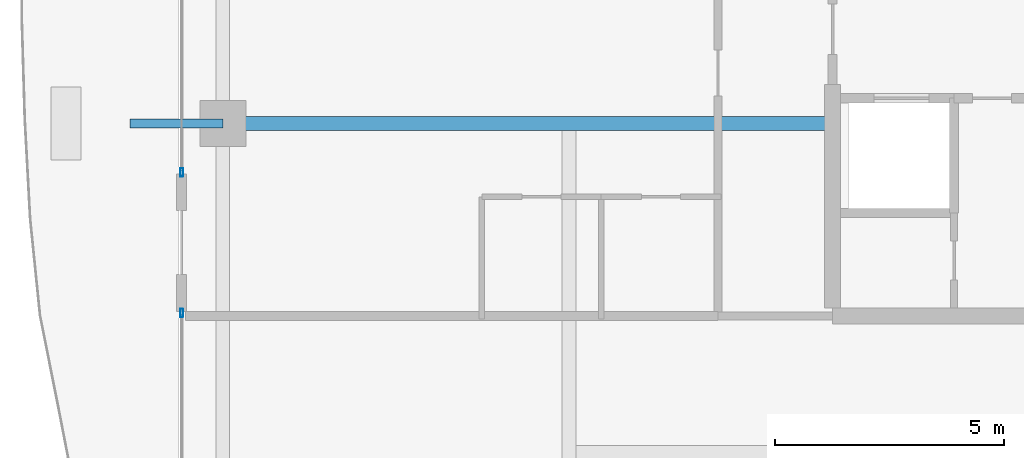
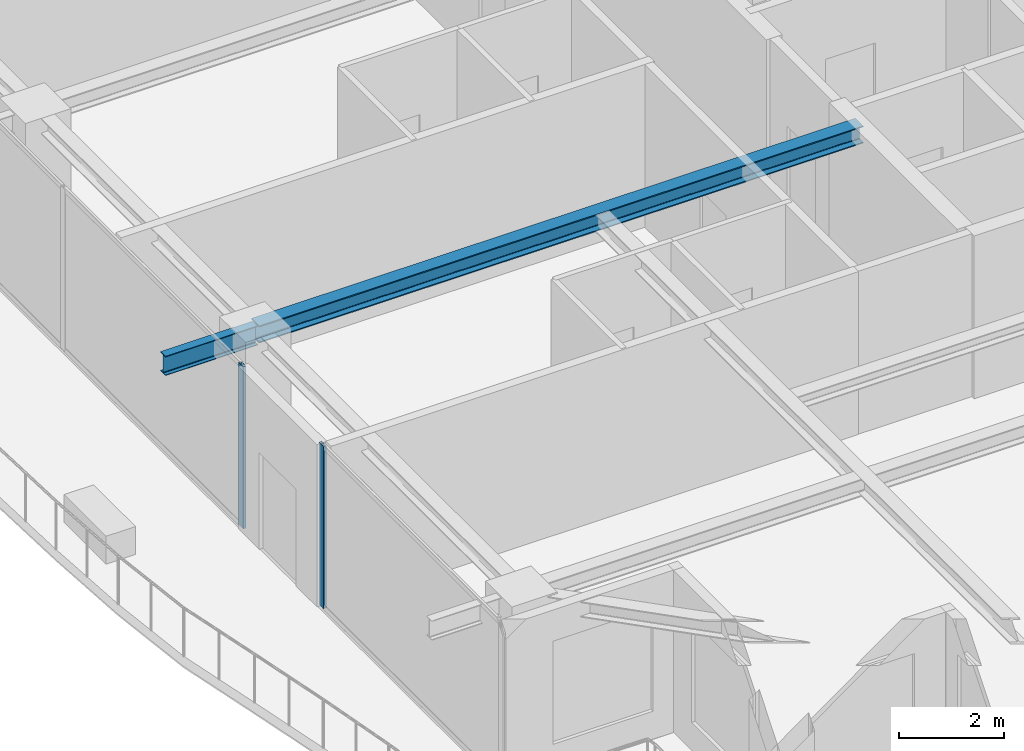
# One storey, part 7 of 37: 2 beams, 2 members, 2 elements without a shape of their own.
"""IFC4 building model written with IfcOpenShell, lengths in metres."""

from ifc_helpers import new_model, si_unit, direction, frame, origin, origin_2d, place, context, subcontext, project, spatial, hollow_rectangle, i_section, extrude, source, transform, mapped, material, layer, layer_set, material_profile, profile_set, type_object, element, aggregate, save


model = new_model("IFC4")

# Units and contexts
model_context = context("Model", 3, precision=1e-05, world=origin(), true_north=direction((0.0, 1.0)))
body_context = subcontext(model_context, "Body", "Model", "MODEL_VIEW")
ifc_project = project(units=[si_unit("LENGTHUNIT", "METRE"), si_unit("AREAUNIT", "SQUARE_METRE"), si_unit("VOLUMEUNIT", "CUBIC_METRE"), si_unit("PLANEANGLEUNIT", "RADIAN"), si_unit("MASSUNIT", "GRAM", prefix="KILO")], contexts=[model_context])

# Site, building, storey
site_placement = place(None, origin())
site = spatial("IfcSite", under=ifc_project, at=site_placement, CompositionType="ELEMENT")
building_placement = place(site_placement, origin())
building = spatial("IfcBuilding", under=site, at=building_placement, Name="Serunith Strait Residences", CompositionType="ELEMENT")
storey_placement = place(building_placement, frame((0.0, 0.0, 305.60009765625)))
storey = spatial("IfcBuildingStorey", under=building, at=storey_placement, Name="L76", CompositionType="ELEMENT", Elevation=305.60009765625)

# Beams
ifc_material_1 = material(Name="Steel S355J2", Category="steel")
ifc_material_profile_1 = material_profile(ifc_material_1, i_section(OverallWidth=0.300048828125, OverallDepth=0.39990234375, WebThickness=0.013427734375, FlangeThickness=0.02392578125, FilletRadius=0.027099609375, at=origin_2d()), Name="HEB 400")
ifc_profile_set_1 = profile_set([ifc_material_profile_1], Name="Steel S355J2")
beam_type_1 = type_object("IfcBeamType", Name="BM-HEB400", PredefinedType="BEAM", material=ifc_profile_set_1)
shared_shape_1 = source(origin(), body_context, "Body", "SweptSolid", [
    extrude(i_section(OverallWidth=0.300048828125, OverallDepth=0.39990234375, WebThickness=0.013427734375, FlangeThickness=0.02392578125, FilletRadius=0.027099609375, at=origin_2d()), origin(), (0.0, 0.0, 1.0), 13.2998046875),
])
beam_1_placement = place(storey_placement, frame((23.39990234375, 21.0, 3.5869140625), z_axis=(-1.0, 0.0, 0.0), x_axis=(0.0, -1.0, 0.0)))
element("IfcBeam", 1, at=beam_1_placement, inside=storey, type_object=beam_type_1, Name="L76 Primary Floor Girder TC-W2", PredefinedType="BEAM", context=body_context, shape_type="MappedRepresentation", body=[
    mapped(shared_shape_1, transform((0.0, 0.0, 0.0), scale=1.0)),
])
ifc_material_profile_2 = material_profile(ifc_material_1, i_section(OverallWidth=0.18994140625, OverallDepth=0.449951171875, WebThickness=0.009521484375, FlangeThickness=0.0146484375, FilletRadius=0.02099609375, at=origin_2d()), Name="IPE 450")
ifc_profile_set_2 = profile_set([ifc_material_profile_2], Name="Steel S355J2")
beam_type_2 = type_object("IfcBeamType", Name="BM-IPE450", PredefinedType="JOIST", material=ifc_profile_set_2)
shared_shape_2 = source(origin(), body_context, "Body", "SweptSolid", [
    extrude(i_section(OverallWidth=0.18994140625, OverallDepth=0.449951171875, WebThickness=0.009521484375, FlangeThickness=0.0146484375, FilletRadius=0.02099609375, at=origin_2d()), origin(), (0.0, 0.0, 1.0), 2.030029296875),
])
beam_2_placement = place(storey_placement, frame((10.10009765625, 21.0, 3.531982421875), z_axis=(-1.0, 0.0, 0.0), x_axis=(0.0, -1.0, 0.0)))
element("IfcBeam", 2, at=beam_2_placement, inside=storey, type_object=beam_type_2, Name="L77 Cantilevered Balcony Rib TC-W2", PredefinedType="JOIST", context=body_context, shape_type="MappedRepresentation", body=[
    mapped(shared_shape_2, transform((0.0, 0.0, 0.0), scale=1.0)),
])

# Curtain wall, member
ifc_material_2 = material(Name="Brushed Stainless-Silver Aluminium", Category="aluminium")
ifc_layer = layer(ifc_material_2, 0.199951171875, Name="Brushed Stainless-Silver Aluminium")
ifc_layer_set = layer_set([ifc_layer], Name="Brushed Stainless-Silver Aluminium")
curtain_wall_type = type_object("IfcCurtainWallType", Name="CW-SYS5", PredefinedType="NOTDEFINED", material=ifc_layer_set)
curtain_wall_1_placement = place(storey_placement, origin())
curtain_wall_1 = element("IfcCurtainWall", 3, at=curtain_wall_1_placement, inside=storey, type_object=curtain_wall_type, Name="L76 W Unitised Fritted Curtain Wall", PredefinedType="NOTDEFINED")
ifc_material_profile_3 = material_profile(ifc_material_2, hollow_rectangle(XDim=0.06494140625, YDim=0.179931640625, WallThickness=0.00341796875, InnerFilletRadius=0.00537109375, OuterFilletRadius=0.0087890625, at=origin_2d()), Name="ALU 180x65x3.5")
ifc_profile_set_3 = profile_set([ifc_material_profile_3], Name="Brushed Stainless-Silver Aluminium")
member_type = type_object("IfcMemberType", Name="CW-SYS5-MULL", PredefinedType="MULLION", material=ifc_profile_set_3)
shared_shape_3 = source(origin(), body_context, "Body", "SweptSolid", [
    extrude(hollow_rectangle(XDim=0.06494140625, YDim=0.179931640625, WallThickness=0.00341796875, InnerFilletRadius=0.00537109375, OuterFilletRadius=0.0087890625, at=origin_2d()), origin(), (0.0, 0.0, 1.0), 3.77490234375),
])
member_1_placement = place(storey_placement, frame((9.199951171875, 19.9326171875, 0.0), z_axis=(0.0, 0.0, 1.0), x_axis=(1.0, 0.0, 0.0)))
member_1 = element("IfcMember", 4, at=member_1_placement, type_object=member_type, Name="CW-5 mullion 4", PredefinedType="MULLION", context=body_context, shape_type="MappedRepresentation", body=[
    mapped(shared_shape_3, transform((0.0, 0.0, 0.0), scale=1.0)),
])
aggregate(curtain_wall_1, [member_1])

curtain_wall_2_placement = place(storey_placement, origin())
curtain_wall_2 = element("IfcCurtainWall", 5, at=curtain_wall_2_placement, inside=storey, type_object=curtain_wall_type, Name="L76 W Unitised Fritted Curtain Wall", PredefinedType="NOTDEFINED")
member_2_placement = place(storey_placement, frame((9.199951171875, 16.867431640625, 0.0), z_axis=(0.0, 0.0, 1.0), x_axis=(1.0, 0.0, 0.0)))
member_2 = element("IfcMember", 6, at=member_2_placement, type_object=member_type, Name="CW-5 mullion 1", PredefinedType="MULLION", context=body_context, shape_type="MappedRepresentation", body=[
    mapped(shared_shape_3, transform((0.0, 0.0, 0.0), scale=1.0)),
])
aggregate(curtain_wall_2, [member_2])

save(model, "model.ifc")
